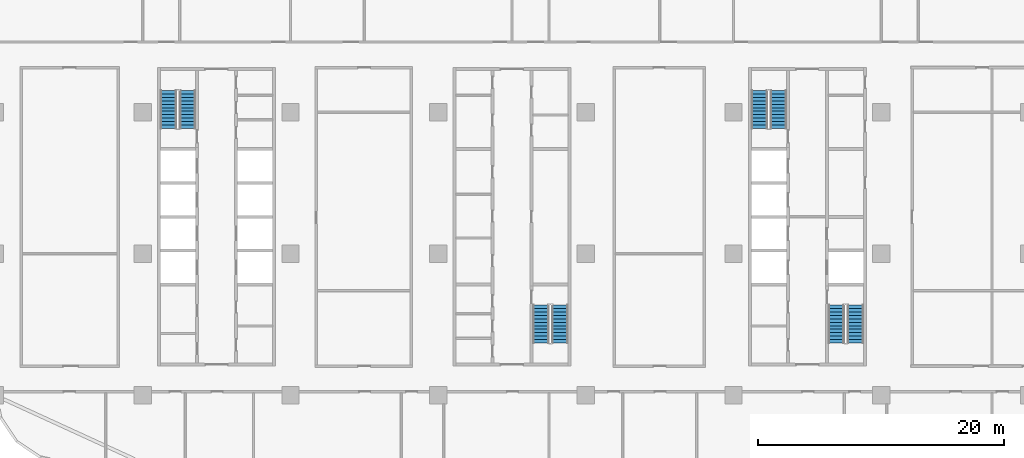
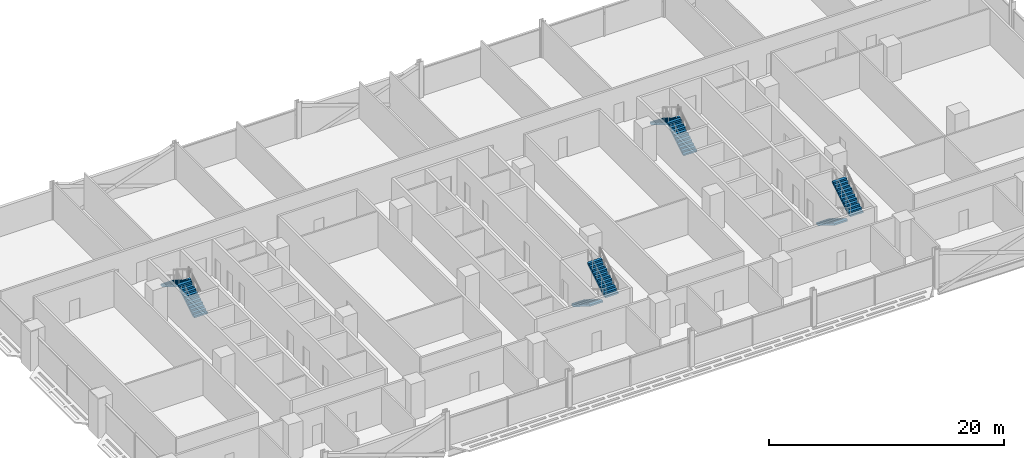
# One storey, part 18 of 29: 8 stair flights, 4 elements without a shape of their own.
"""IFC4 building model written with IfcOpenShell, lengths in metres."""

from ifc_helpers import new_model, si_unit, direction, frame, origin, place, context, subcontext, project, spatial, polyline, outline, extrude, material, type_object, element, aggregate, save


model = new_model("IFC4")

# Units and contexts
model_context = context("Model", 3, precision=1e-05, world=origin(), true_north=direction((0.0, 1.0)))
body_context = subcontext(model_context, "Body", "Model", "MODEL_VIEW")
ifc_project = project(units=[si_unit("LENGTHUNIT", "METRE"), si_unit("AREAUNIT", "SQUARE_METRE"), si_unit("VOLUMEUNIT", "CUBIC_METRE"), si_unit("PLANEANGLEUNIT", "RADIAN"), si_unit("MASSUNIT", "GRAM", prefix="KILO")], contexts=[model_context])

# Site, building, storey
site_placement = place(None, origin())
site = spatial("IfcSite", under=ifc_project, at=site_placement, CompositionType="ELEMENT")
building_placement = place(site_placement, origin())
building = spatial("IfcBuilding", under=site, at=building_placement, Name="Mahtab Terrace Research Tower", CompositionType="ELEMENT")
storey_placement = place(building_placement, frame((0.0, 0.0, 97.10009765625)))
storey = spatial("IfcBuildingStorey", under=building, at=storey_placement, Name="L22", CompositionType="ELEMENT", Elevation=97.10009765625)

# Stair, stair flights
ifc_material_1 = material(Name="Exit stair half-turn")
stair_type = type_object("IfcStairType", Name="Exit stair half-turn", PredefinedType="HALF_TURN_STAIR", material=ifc_material_1)
stair_1_placement = place(storey_placement, origin())
stair_1 = element("IfcStair", 1, at=stair_1_placement, inside=storey, type_object=stair_type, Name="L22 Protected exit stair ST1", PredefinedType="HALF_TURN_STAIR")
ifc_material_2 = material(Name="Concrete C40/50", Category="concrete")
stair_flight_type = type_object("IfcStairFlightType", Name="Exit stair flight 1300", PredefinedType="STRAIGHT", material=ifc_material_2)
stair_flight_1_placement = place(storey_placement, frame((-26.35009765625, 10.175048828125, 0.0), z_axis=(0.0, 0.0, 1.0), x_axis=(0.0, 1.0, 0.0)))
stair_flight_1 = element("IfcStairFlight", 2, at=stair_flight_1_placement, type_object=stair_flight_type, Name="ST1 flight 1", NumberOfRisers=12, NumberOfTreads=11, PredefinedType="STRAIGHT", RiserHeight=0.170833333, TreadLength=0.28, context=body_context, shape_type="SweptSolid", body=[
    extrude(outline(polyline([(0.0, 0.0), (0.0, 0.1708984375), (0.280029296875, 0.1708984375), (0.280029296875, 0.341552734375), (0.56005859375, 0.341552734375), (0.56005859375, 0.512451171875), (0.840087890625, 0.512451171875), (0.840087890625, 0.683349609375), (1.1201171875, 0.683349609375), (1.1201171875, 0.854248046875), (1.39990234375, 0.854248046875), (1.39990234375, 1.02490234375), (1.679931640625, 1.02490234375), (1.679931640625, 1.19580078125), (1.9599609375, 1.19580078125), (1.9599609375, 1.36669921875), (2.239990234375, 1.36669921875), (2.239990234375, 1.53759765625), (2.52001953125, 1.53759765625), (2.52001953125, 1.708251953125), (2.800048828125, 1.708251953125), (2.800048828125, 1.879150390625), (3.080078125, 1.879150390625), (3.080078125, 2.050048828125), (3.080078125, 1.70361328125), (0.287841796875, 0.0), (0.0, 0.0)])), frame((0.0, 0.64990234375, 0.0), z_axis=(0.0, -1.0, 0.0), x_axis=(1.0, 0.0, 0.0)), (0.0, 0.0, 1.0), 1.300048828125),
])
stair_flight_2_placement = place(storey_placement, frame((-27.89990234375, 13.2548828125, 2.0498046875), z_axis=(0.0, 0.0, 1.0), x_axis=(0.0, -1.0, 0.0)))
stair_flight_2 = element("IfcStairFlight", 3, at=stair_flight_2_placement, type_object=stair_flight_type, Name="ST1 flight 2", NumberOfRisers=12, NumberOfTreads=11, PredefinedType="STRAIGHT", RiserHeight=0.170833333, TreadLength=0.28, context=body_context, shape_type="SweptSolid", body=[
    extrude(outline(polyline([(0.0, 0.0), (0.0, 0.1708984375), (0.280029296875, 0.1708984375), (0.280029296875, 0.341552734375), (0.56005859375, 0.341552734375), (0.56005859375, 0.512451171875), (0.840087890625, 0.512451171875), (0.840087890625, 0.683349609375), (1.1201171875, 0.683349609375), (1.1201171875, 0.854248046875), (1.39990234375, 0.854248046875), (1.39990234375, 1.02490234375), (1.679931640625, 1.02490234375), (1.679931640625, 1.19580078125), (1.9599609375, 1.19580078125), (1.9599609375, 1.36669921875), (2.239990234375, 1.36669921875), (2.239990234375, 1.53759765625), (2.52001953125, 1.53759765625), (2.52001953125, 1.708251953125), (2.800048828125, 1.708251953125), (2.800048828125, 1.879150390625), (3.080078125, 1.879150390625), (3.080078125, 2.050048828125), (3.080078125, 1.70361328125), (0.287841796875, 0.0), (0.0, 0.0)])), frame((0.0, 0.64990234375, 0.0), z_axis=(0.0, -1.0, 0.0), x_axis=(1.0, 0.0, 0.0)), (0.0, 0.0, 1.0), 1.300048828125),
])
aggregate(stair_1, [stair_flight_1, stair_flight_2])

stair_2_placement = place(storey_placement, origin())
stair_2 = element("IfcStair", 4, at=stair_2_placement, inside=storey, type_object=stair_type, Name="L22 Protected exit stair ST2", PredefinedType="HALF_TURN_STAIR")
stair_flight_3_placement = place(storey_placement, frame((2.35009765625, -4.175048828125, 0.0), z_axis=(0.0, 0.0, 1.0), x_axis=(0.0, -1.0, 0.0)))
stair_flight_3 = element("IfcStairFlight", 5, at=stair_flight_3_placement, type_object=stair_flight_type, Name="ST2 flight 1", NumberOfRisers=12, NumberOfTreads=11, PredefinedType="STRAIGHT", RiserHeight=0.170833333, TreadLength=0.28, context=body_context, shape_type="SweptSolid", body=[
    extrude(outline(polyline([(0.0, 0.0), (0.0, 0.1708984375), (0.280029296875, 0.1708984375), (0.280029296875, 0.341552734375), (0.56005859375, 0.341552734375), (0.56005859375, 0.512451171875), (0.840087890625, 0.512451171875), (0.840087890625, 0.683349609375), (1.1201171875, 0.683349609375), (1.1201171875, 0.854248046875), (1.39990234375, 0.854248046875), (1.39990234375, 1.02490234375), (1.679931640625, 1.02490234375), (1.679931640625, 1.19580078125), (1.9599609375, 1.19580078125), (1.9599609375, 1.36669921875), (2.239990234375, 1.36669921875), (2.239990234375, 1.53759765625), (2.52001953125, 1.53759765625), (2.52001953125, 1.708251953125), (2.800048828125, 1.708251953125), (2.800048828125, 1.879150390625), (3.080078125, 1.879150390625), (3.080078125, 2.050048828125), (3.080078125, 1.70361328125), (0.287841796875, 0.0), (0.0, 0.0)])), frame((0.0, 0.64990234375, 0.0), z_axis=(0.0, -1.0, 0.0), x_axis=(1.0, 0.0, 0.0)), (0.0, 0.0, 1.0), 1.300048828125),
])
stair_flight_4_placement = place(storey_placement, frame((3.89990234375, -7.2548828125, 2.0498046875), z_axis=(0.0, 0.0, 1.0), x_axis=(0.0, 1.0, 0.0)))
stair_flight_4 = element("IfcStairFlight", 6, at=stair_flight_4_placement, type_object=stair_flight_type, Name="ST2 flight 2", NumberOfRisers=12, NumberOfTreads=11, PredefinedType="STRAIGHT", RiserHeight=0.170833333, TreadLength=0.28, context=body_context, shape_type="SweptSolid", body=[
    extrude(outline(polyline([(0.0, 0.0), (0.0, 0.1708984375), (0.280029296875, 0.1708984375), (0.280029296875, 0.341552734375), (0.56005859375, 0.341552734375), (0.56005859375, 0.512451171875), (0.840087890625, 0.512451171875), (0.840087890625, 0.683349609375), (1.1201171875, 0.683349609375), (1.1201171875, 0.854248046875), (1.39990234375, 0.854248046875), (1.39990234375, 1.02490234375), (1.679931640625, 1.02490234375), (1.679931640625, 1.19580078125), (1.9599609375, 1.19580078125), (1.9599609375, 1.36669921875), (2.239990234375, 1.36669921875), (2.239990234375, 1.53759765625), (2.52001953125, 1.53759765625), (2.52001953125, 1.708251953125), (2.800048828125, 1.708251953125), (2.800048828125, 1.879150390625), (3.080078125, 1.879150390625), (3.080078125, 2.050048828125), (3.080078125, 1.70361328125), (0.287841796875, 0.0), (0.0, 0.0)])), frame((0.0, 0.64990234375, 0.0), z_axis=(0.0, -1.0, 0.0), x_axis=(1.0, 0.0, 0.0)), (0.0, 0.0, 1.0), 1.300048828125),
])
aggregate(stair_2, [stair_flight_3, stair_flight_4])

stair_3_placement = place(storey_placement, origin())
stair_3 = element("IfcStair", 7, at=stair_3_placement, inside=storey, type_object=stair_type, Name="L22 Protected exit stair ST3", PredefinedType="HALF_TURN_STAIR")
stair_flight_5_placement = place(storey_placement, frame((21.64990234375, 10.175048828125, 0.0), z_axis=(0.0, 0.0, 1.0), x_axis=(0.0, 1.0, 0.0)))
stair_flight_5 = element("IfcStairFlight", 8, at=stair_flight_5_placement, type_object=stair_flight_type, Name="ST3 flight 1", NumberOfRisers=12, NumberOfTreads=11, PredefinedType="STRAIGHT", RiserHeight=0.170833333, TreadLength=0.28, context=body_context, shape_type="SweptSolid", body=[
    extrude(outline(polyline([(0.0, 0.0), (0.0, 0.1708984375), (0.280029296875, 0.1708984375), (0.280029296875, 0.341552734375), (0.56005859375, 0.341552734375), (0.56005859375, 0.512451171875), (0.840087890625, 0.512451171875), (0.840087890625, 0.683349609375), (1.1201171875, 0.683349609375), (1.1201171875, 0.854248046875), (1.39990234375, 0.854248046875), (1.39990234375, 1.02490234375), (1.679931640625, 1.02490234375), (1.679931640625, 1.19580078125), (1.9599609375, 1.19580078125), (1.9599609375, 1.36669921875), (2.239990234375, 1.36669921875), (2.239990234375, 1.53759765625), (2.52001953125, 1.53759765625), (2.52001953125, 1.708251953125), (2.800048828125, 1.708251953125), (2.800048828125, 1.879150390625), (3.080078125, 1.879150390625), (3.080078125, 2.050048828125), (3.080078125, 1.70361328125), (0.287841796875, 0.0), (0.0, 0.0)])), frame((0.0, 0.64990234375, 0.0), z_axis=(0.0, -1.0, 0.0), x_axis=(1.0, 0.0, 0.0)), (0.0, 0.0, 1.0), 1.300048828125),
])
stair_flight_6_placement = place(storey_placement, frame((20.10009765625, 13.2548828125, 2.0498046875), z_axis=(0.0, 0.0, 1.0), x_axis=(0.0, -1.0, 0.0)))
stair_flight_6 = element("IfcStairFlight", 9, at=stair_flight_6_placement, type_object=stair_flight_type, Name="ST3 flight 2", NumberOfRisers=12, NumberOfTreads=11, PredefinedType="STRAIGHT", RiserHeight=0.170833333, TreadLength=0.28, context=body_context, shape_type="SweptSolid", body=[
    extrude(outline(polyline([(0.0, 0.0), (0.0, 0.1708984375), (0.280029296875, 0.1708984375), (0.280029296875, 0.341552734375), (0.56005859375, 0.341552734375), (0.56005859375, 0.512451171875), (0.840087890625, 0.512451171875), (0.840087890625, 0.683349609375), (1.1201171875, 0.683349609375), (1.1201171875, 0.854248046875), (1.39990234375, 0.854248046875), (1.39990234375, 1.02490234375), (1.679931640625, 1.02490234375), (1.679931640625, 1.19580078125), (1.9599609375, 1.19580078125), (1.9599609375, 1.36669921875), (2.239990234375, 1.36669921875), (2.239990234375, 1.53759765625), (2.52001953125, 1.53759765625), (2.52001953125, 1.708251953125), (2.800048828125, 1.708251953125), (2.800048828125, 1.879150390625), (3.080078125, 1.879150390625), (3.080078125, 2.050048828125), (3.080078125, 1.70361328125), (0.287841796875, 0.0), (0.0, 0.0)])), frame((0.0, 0.64990234375, 0.0), z_axis=(0.0, -1.0, 0.0), x_axis=(1.0, 0.0, 0.0)), (0.0, 0.0, 1.0), 1.300048828125),
])
aggregate(stair_3, [stair_flight_5, stair_flight_6])

stair_4_placement = place(storey_placement, origin())
stair_4 = element("IfcStair", 10, at=stair_4_placement, inside=storey, type_object=stair_type, Name="L22 Protected exit stair ST4", PredefinedType="HALF_TURN_STAIR")
stair_flight_7_placement = place(storey_placement, frame((26.35009765625, -4.175048828125, 0.0), z_axis=(0.0, 0.0, 1.0), x_axis=(0.0, -1.0, 0.0)))
stair_flight_7 = element("IfcStairFlight", 11, at=stair_flight_7_placement, type_object=stair_flight_type, Name="ST4 flight 1", NumberOfRisers=12, NumberOfTreads=11, PredefinedType="STRAIGHT", RiserHeight=0.170833333, TreadLength=0.28, context=body_context, shape_type="SweptSolid", body=[
    extrude(outline(polyline([(0.0, 0.0), (0.0, 0.1708984375), (0.280029296875, 0.1708984375), (0.280029296875, 0.341552734375), (0.56005859375, 0.341552734375), (0.56005859375, 0.512451171875), (0.840087890625, 0.512451171875), (0.840087890625, 0.683349609375), (1.1201171875, 0.683349609375), (1.1201171875, 0.854248046875), (1.39990234375, 0.854248046875), (1.39990234375, 1.02490234375), (1.679931640625, 1.02490234375), (1.679931640625, 1.19580078125), (1.9599609375, 1.19580078125), (1.9599609375, 1.36669921875), (2.239990234375, 1.36669921875), (2.239990234375, 1.53759765625), (2.52001953125, 1.53759765625), (2.52001953125, 1.708251953125), (2.800048828125, 1.708251953125), (2.800048828125, 1.879150390625), (3.080078125, 1.879150390625), (3.080078125, 2.050048828125), (3.080078125, 1.70361328125), (0.287841796875, 0.0), (0.0, 0.0)])), frame((0.0, 0.64990234375, 0.0), z_axis=(0.0, -1.0, 0.0), x_axis=(1.0, 0.0, 0.0)), (0.0, 0.0, 1.0), 1.300048828125),
])
stair_flight_8_placement = place(storey_placement, frame((27.89990234375, -7.2548828125, 2.0498046875), z_axis=(0.0, 0.0, 1.0), x_axis=(0.0, 1.0, 0.0)))
stair_flight_8 = element("IfcStairFlight", 12, at=stair_flight_8_placement, type_object=stair_flight_type, Name="ST4 flight 2", NumberOfRisers=12, NumberOfTreads=11, PredefinedType="STRAIGHT", RiserHeight=0.170833333, TreadLength=0.28, context=body_context, shape_type="SweptSolid", body=[
    extrude(outline(polyline([(0.0, 0.0), (0.0, 0.1708984375), (0.280029296875, 0.1708984375), (0.280029296875, 0.341552734375), (0.56005859375, 0.341552734375), (0.56005859375, 0.512451171875), (0.840087890625, 0.512451171875), (0.840087890625, 0.683349609375), (1.1201171875, 0.683349609375), (1.1201171875, 0.854248046875), (1.39990234375, 0.854248046875), (1.39990234375, 1.02490234375), (1.679931640625, 1.02490234375), (1.679931640625, 1.19580078125), (1.9599609375, 1.19580078125), (1.9599609375, 1.36669921875), (2.239990234375, 1.36669921875), (2.239990234375, 1.53759765625), (2.52001953125, 1.53759765625), (2.52001953125, 1.708251953125), (2.800048828125, 1.708251953125), (2.800048828125, 1.879150390625), (3.080078125, 1.879150390625), (3.080078125, 2.050048828125), (3.080078125, 1.70361328125), (0.287841796875, 0.0), (0.0, 0.0)])), frame((0.0, 0.64990234375, 0.0), z_axis=(0.0, -1.0, 0.0), x_axis=(1.0, 0.0, 0.0)), (0.0, 0.0, 1.0), 1.300048828125),
])
aggregate(stair_4, [stair_flight_7, stair_flight_8])

save(model, "model.ifc")
